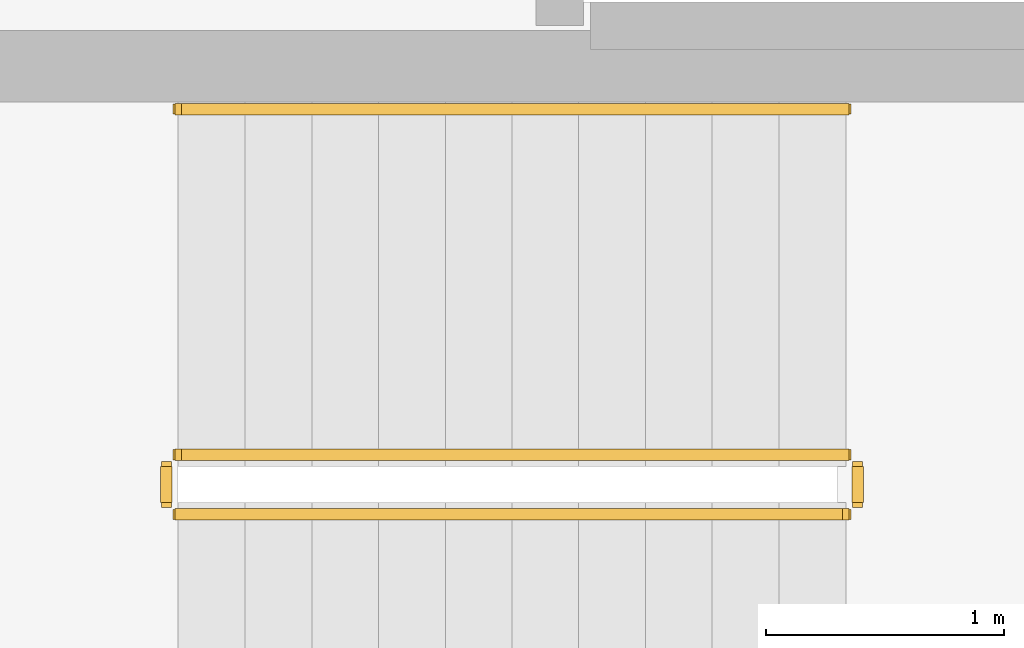
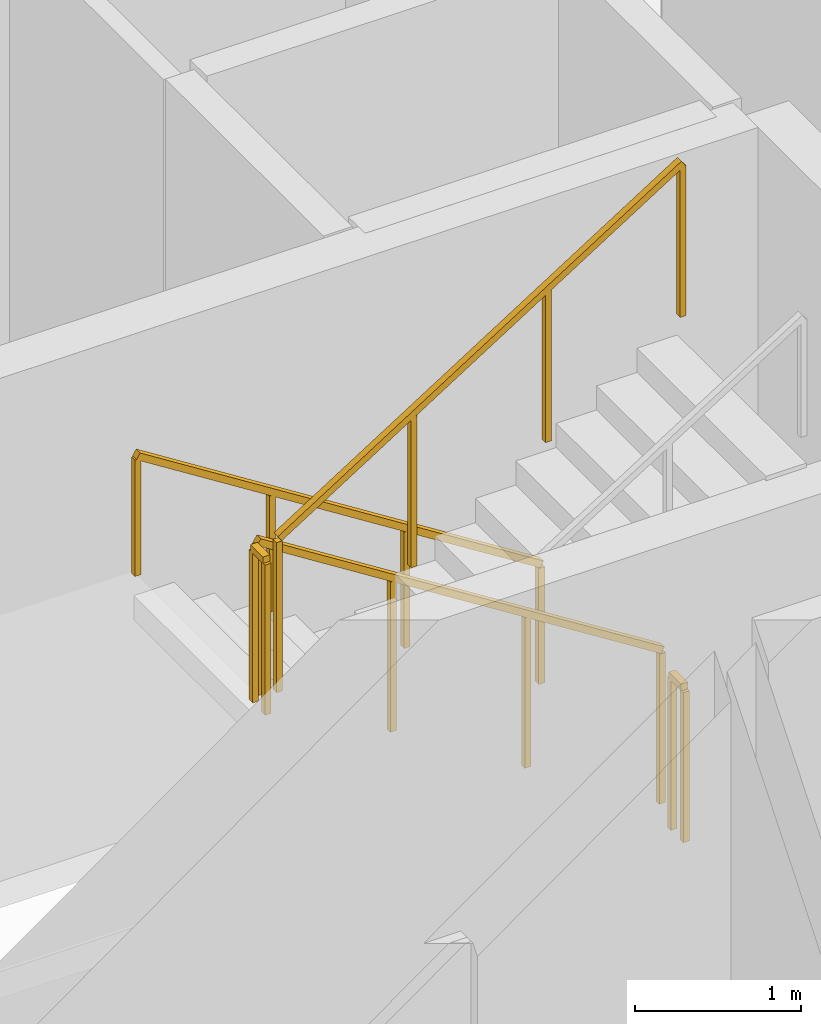
# One storey, part 9 of 12: 5 railings.
"""IFC4 building model written with IfcOpenShell, lengths in metres."""

from ifc_helpers import new_model, si_unit, direction, frame, origin, origin_2d, place, context, subcontext, project, spatial, rectangle, extrude, material, type_object, element, save


model = new_model("IFC4")

# Units and contexts
model_context = context("Model", 3, precision=1e-05, world=origin(), true_north=direction((0.0, 1.0)))
body_context = subcontext(model_context, "Body", "Model", "MODEL_VIEW")
ifc_project = project(units=[si_unit("LENGTHUNIT", "METRE"), si_unit("AREAUNIT", "SQUARE_METRE"), si_unit("VOLUMEUNIT", "CUBIC_METRE"), si_unit("PLANEANGLEUNIT", "RADIAN"), si_unit("MASSUNIT", "GRAM", prefix="KILO")], contexts=[model_context])

# Site, building, storey
site_placement = place(None, origin())
site = spatial("IfcSite", under=ifc_project, at=site_placement, CompositionType="ELEMENT")
building_placement = place(site_placement, origin())
building = spatial("IfcBuilding", under=site, at=building_placement, Name="Mawjaban Terraces University", CompositionType="ELEMENT")
storey_placement = place(building_placement, frame((0.0, 0.0, 150.199951171875)))
storey = spatial("IfcBuildingStorey", under=building, at=storey_placement, Name="L36", CompositionType="ELEMENT", Elevation=150.199951171875)

# Railings
ifc_material_1 = material(Name="Brushed stainless steel 316", Category="steel")
railing_type_1 = type_object("IfcRailingType", Name="StairWallHandrail_900", PredefinedType="HANDRAIL", material=ifc_material_1)
railing_1_placement = place(storey_placement, frame((30.050048828125, 18.800048828125, 0.17724609375)))
element("IfcRailing", 1, at=railing_1_placement, inside=storey, type_object=railing_type_1, Name="L36 ST-2 stair handrail 1", PredefinedType="HANDRAIL", context=body_context, shape_type="SweptSolid", body=[
    extrude(rectangle(XDim=0.048095703125, YDim=0.048095703125, at=origin_2d()), frame((0.0, 0.0, 0.8759765625), z_axis=(-0.844908973607, 0.0, 0.534910110503), x_axis=(0.0, -1.0, 0.0)), (0.0, 0.0, 1.0), 3.31396484375),
    extrude(rectangle(XDim=0.0419921875, YDim=0.0419921875, at=origin_2d()), origin(), (0.0, 0.0, 1.0), 0.851806640625),
    extrude(rectangle(XDim=0.0419921875, YDim=0.0419921875, at=origin_2d()), frame((-0.933349609375, 0.0, 0.5908203125)), (0.0, 0.0, 1.0), 0.851806640625),
    extrude(rectangle(XDim=0.0419921875, YDim=0.0419921875, at=origin_2d()), frame((-1.86669921875, 0.0, 1.181884765625)), (0.0, 0.0, 1.0), 0.851806640625),
    extrude(rectangle(XDim=0.0419921875, YDim=0.0419921875, at=origin_2d()), frame((-2.800048828125, 0.0, 1.772705078125)), (0.0, 0.0, 1.0), 0.851806640625),
])
ifc_material_2 = material(Name="Galvanised painted steel S355", Category="steel")
railing_type_2 = type_object("IfcRailingType", Name="StairWellGuard_1150", PredefinedType="BALUSTRADE", material=ifc_material_2)
railing_2_placement = place(storey_placement, frame((30.050048828125, 17.35009765625, 0.17724609375)))
element("IfcRailing", 2, at=railing_2_placement, inside=storey, type_object=railing_type_2, Name="L36 ST-2 stair guard 1", PredefinedType="BALUSTRADE", context=body_context, shape_type="SweptSolid", body=[
    extrude(rectangle(XDim=0.048095703125, YDim=0.048095703125, at=origin_2d()), frame((0.0, 0.0, 1.1259765625), z_axis=(-0.844908973607, 0.0, 0.534910110503), x_axis=(0.0, -1.0, 0.0)), (0.0, 0.0, 1.0), 3.31396484375),
    extrude(rectangle(XDim=0.0419921875, YDim=0.0419921875, at=origin_2d()), origin(), (0.0, 0.0, 1.0), 1.101806640625),
    extrude(rectangle(XDim=0.0419921875, YDim=0.0419921875, at=origin_2d()), frame((-0.933349609375, 0.0, 0.5908203125)), (0.0, 0.0, 1.0), 1.101806640625),
    extrude(rectangle(XDim=0.0419921875, YDim=0.0419921875, at=origin_2d()), frame((-1.86669921875, 0.0, 1.181884765625)), (0.0, 0.0, 1.0), 1.101806640625),
    extrude(rectangle(XDim=0.0419921875, YDim=0.0419921875, at=origin_2d()), frame((-2.800048828125, 0.0, 1.772705078125)), (0.0, 0.0, 1.0), 1.101806640625),
])
railing_3_placement = place(storey_placement, frame((27.199951171875, 17.300048828125, 1.949951171875)))
element("IfcRailing", 3, at=railing_3_placement, inside=storey, type_object=railing_type_2, Name="L36 ST-2 stair guard 2", PredefinedType="BALUSTRADE", context=body_context, shape_type="SweptSolid", body=[
    extrude(rectangle(XDim=0.048095703125, YDim=0.048095703125, at=origin_2d()), frame((0.0, 0.0, 1.1259765625), z_axis=(0.0, -1.0, 0.0), x_axis=(1.0, 0.0, 0.0)), (0.0, 0.0, 1.0), 0.150146484375),
    extrude(rectangle(XDim=0.0419921875, YDim=0.0419921875, at=origin_2d()), origin(), (0.0, 0.0, 1.0), 1.101806640625),
    extrude(rectangle(XDim=0.0419921875, YDim=0.0419921875, at=origin_2d()), frame((0.0, -0.150146484375, 0.0)), (0.0, 0.0, 1.0), 1.101806640625),
])
railing_4_placement = place(storey_placement, frame((27.25, 17.10009765625, 2.12744140625)))
element("IfcRailing", 4, at=railing_4_placement, inside=storey, type_object=railing_type_2, Name="L36 ST-2 stair guard 3", PredefinedType="BALUSTRADE", context=body_context, shape_type="SweptSolid", body=[
    extrude(rectangle(XDim=0.048095703125, YDim=0.048095703125, at=origin_2d()), frame((0.0, 0.0, 1.1259765625), z_axis=(0.844908973607, 0.0, 0.534910110503), x_axis=(0.0, 1.0, 0.0)), (0.0, 0.0, 1.0), 3.31396484375),
    extrude(rectangle(XDim=0.0419921875, YDim=0.0419921875, at=origin_2d()), origin(), (0.0, 0.0, 1.0), 1.101806640625),
    extrude(rectangle(XDim=0.0419921875, YDim=0.0419921875, at=origin_2d()), frame((0.933349609375, 0.0, 0.5908203125)), (0.0, 0.0, 1.0), 1.101806640625),
    extrude(rectangle(XDim=0.0419921875, YDim=0.0419921875, at=origin_2d()), frame((1.86669921875, 0.0, 1.181884765625)), (0.0, 0.0, 1.0), 1.101806640625),
    extrude(rectangle(XDim=0.0419921875, YDim=0.0419921875, at=origin_2d()), frame((2.800048828125, 0.0, 1.772705078125)), (0.0, 0.0, 1.0), 1.101806640625),
])
railing_5_placement = place(storey_placement, frame((30.10009765625, 17.300048828125, 0.0)))
element("IfcRailing", 5, at=railing_5_placement, inside=storey, type_object=railing_type_2, Name="L36 ST-2 stair guard 4", PredefinedType="BALUSTRADE", context=body_context, shape_type="SweptSolid", body=[
    extrude(rectangle(XDim=0.048095703125, YDim=0.048095703125, at=origin_2d()), frame((0.0, 0.0, 1.1259765625), z_axis=(0.0, -1.0, 0.0), x_axis=(1.0, 0.0, 0.0)), (0.0, 0.0, 1.0), 0.150146484375),
    extrude(rectangle(XDim=0.0419921875, YDim=0.0419921875, at=origin_2d()), origin(), (0.0, 0.0, 1.0), 1.101806640625),
    extrude(rectangle(XDim=0.0419921875, YDim=0.0419921875, at=origin_2d()), frame((0.0, -0.150146484375, 0.0)), (0.0, 0.0, 1.0), 1.101806640625),
])

save(model, "model.ifc")
